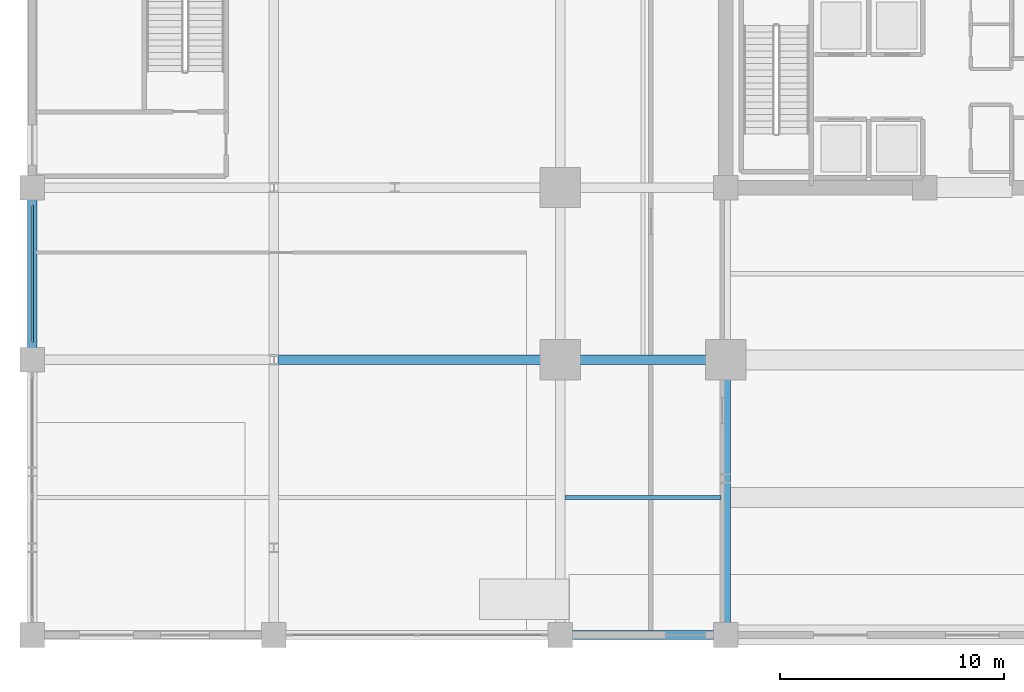
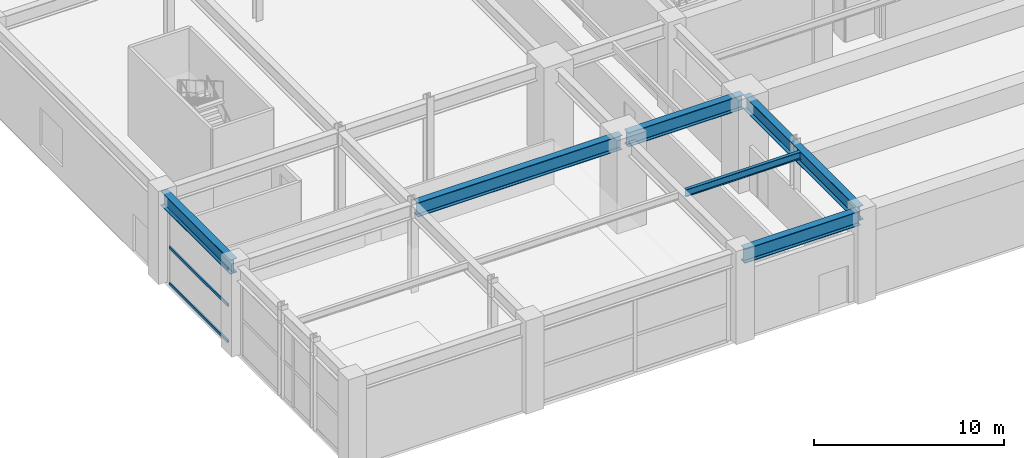
# One storey, part 8 of 41: 6 beams, 3 members, 1 element without a shape of its own.
"""IFC4 building model written with IfcOpenShell, lengths in metres."""

from ifc_helpers import new_model, si_unit, direction, frame, origin, origin_2d, place, context, subcontext, project, spatial, hollow_rectangle, i_section, extrude, material, material_profile, profile_set, type_object, element, aggregate, save


model = new_model("IFC4")

# Units and contexts
model_context = context("Model", 3, precision=1e-05, world=origin(), true_north=direction((0.0, 1.0)))
body_context = subcontext(model_context, "Body", "Model", "MODEL_VIEW")
ifc_project = project(units=[si_unit("LENGTHUNIT", "METRE"), si_unit("AREAUNIT", "SQUARE_METRE"), si_unit("VOLUMEUNIT", "CUBIC_METRE"), si_unit("PLANEANGLEUNIT", "RADIAN"), si_unit("MASSUNIT", "GRAM", prefix="KILO")], contexts=[model_context])

# Site, building, storey
site_placement = place(None, origin())
site = spatial("IfcSite", under=ifc_project, at=site_placement, CompositionType="ELEMENT")
building_placement = place(site_placement, origin())
building = spatial("IfcBuilding", under=site, at=building_placement, Name="Kovane Verandah Tower", CompositionType="ELEMENT")
storey_placement = place(building_placement, origin())
storey = spatial("IfcBuildingStorey", under=building, at=storey_placement, Name="L00", CompositionType="ELEMENT", Elevation=0.0)

# Beams
ifc_material_1 = material(Name="Steel S460", Category="steel")
ifc_material_profile_1 = material_profile(ifc_material_1, i_section(OverallWidth=0.42041015625, OverallDepth=0.9208984375, WebThickness=0.021484375, FlangeThickness=0.03662109375, FilletRadius=0.024169921875, at=origin_2d()), Name="UB914x419x388")
ifc_profile_set_1 = profile_set([ifc_material_profile_1], Name="Steel S460")
beam_type_1 = type_object("IfcBeamType", Name="BM-UB914x388", PredefinedType="BEAM", material=ifc_profile_set_1)
for number, where, z_axis, x_axis, name in (
    (1, (21.780029296875, 10.800048828125, 5.259521484375), (1.0, 0.0, 0.0), (0.0, 1.0, 0.0), "L00 Primary Tower Girder G-RS1"),
    (2, (21.780029296875, -1.5, 5.239501953125), (1.0, 0.0, 0.0), (0.0, 1.0, 0.0), "L00 Podium Grid Girder X03"),
):
    element("IfcBeam", number, at=place(storey_placement, frame(where, z_axis=z_axis, x_axis=x_axis)), inside=storey, type_object=beam_type_1, Name=name, PredefinedType="BEAM", context=body_context, shape_type="SweptSolid", body=[
        extrude(i_section(OverallWidth=0.42041015625, OverallDepth=0.9208984375, WebThickness=0.021484375, FlangeThickness=0.03662109375, FilletRadius=0.024169921875, at=origin_2d()), origin(), (0.0, 0.0, 1.0), 7.0400390625),
    ])
beam_1_placement = place(storey_placement, frame((8.97998046875, 10.800048828125, 5.239501953125), z_axis=(1.0, 0.0, 0.0), x_axis=(0.0, 1.0, 0.0)))
element("IfcBeam", 3, at=beam_1_placement, inside=storey, type_object=beam_type_1, Name="L00 Podium Grid Girder X09", PredefinedType="BEAM", context=body_context, shape_type="SweptSolid", body=[
    extrude(i_section(OverallWidth=0.42041015625, OverallDepth=0.9208984375, WebThickness=0.021484375, FlangeThickness=0.03662109375, FilletRadius=0.024169921875, at=origin_2d()), origin(), (0.0, 0.0, 1.0), 12.43994140625),
])
beam_2_placement = place(storey_placement, frame((-2.0, 10.97998046875, 5.239501953125), z_axis=(0.0, 1.0, 0.0), x_axis=(-1.0, 0.0, 0.0)))
element("IfcBeam", 4, at=beam_2_placement, inside=storey, type_object=beam_type_1, Name="L00 Podium Grid Girder Y32", PredefinedType="BEAM", context=body_context, shape_type="SweptSolid", body=[
    extrude(i_section(OverallWidth=0.42041015625, OverallDepth=0.9208984375, WebThickness=0.021484375, FlangeThickness=0.03662109375, FilletRadius=0.024169921875, at=origin_2d()), origin(), (0.0, 0.0, 1.0), 7.340087890625),
])
beam_3_placement = place(storey_placement, frame((29.0, -1.320068359375, 5.239501953125), z_axis=(0.0, 1.0, 0.0), x_axis=(-1.0, 0.0, 0.0)))
element("IfcBeam", 5, at=beam_3_placement, inside=storey, type_object=beam_type_1, Name="L00 Podium Grid Girder Y43", PredefinedType="BEAM", context=body_context, shape_type="SweptSolid", body=[
    extrude(i_section(OverallWidth=0.42041015625, OverallDepth=0.9208984375, WebThickness=0.021484375, FlangeThickness=0.03662109375, FilletRadius=0.024169921875, at=origin_2d()), origin(), (0.0, 0.0, 1.0), 11.940185546875),
])

# Curtain wall, members
ifc_material_2 = material(Name="Champagne Anodised Aluminium Frame with Low-E Clear Laminated Glass", Category="aluminium")
curtain_wall_type = type_object("IfcCurtainWallType", Name="CW-SYS-01-POD", PredefinedType="NOTDEFINED", material=ifc_material_2)
curtain_wall_placement = place(storey_placement, origin())
curtain_wall = element("IfcCurtainWall", 6, at=curtain_wall_placement, inside=storey, type_object=curtain_wall_type, Name="Ground West Shopfront Curtain Wall Bay 2", PredefinedType="NOTDEFINED")
ifc_material_3 = material(Name="Champagne Anodised Aluminium 6063-T6", Category="aluminium")
ifc_material_profile_2 = material_profile(ifc_material_3, hollow_rectangle(XDim=0.0849609375, YDim=0.18994140625, WallThickness=0.00390625, at=origin_2d()), Name="AL85x190x4")
ifc_profile_set_2 = profile_set([ifc_material_profile_2], Name="Champagne Anodised Aluminium 6063-T6")
member_type = type_object("IfcMemberType", Name="CW-TRN-85x190", PredefinedType="USERDEFINED", material=ifc_profile_set_2)
member_1_placement = place(storey_placement, frame((-2.0, 17.72998046875, 0.050048828125), z_axis=(0.0, -1.0, 0.0), x_axis=(1.0, 0.0, 0.0)))
member_1 = element("IfcMember", 7, at=member_1_placement, type_object=member_type, Name="Ground West Shopfront Curtain Wall Bay 2 Transom TB Bay 1", ObjectType="TRANSOM", PredefinedType="USERDEFINED", context=body_context, shape_type="SweptSolid", body=[
    extrude(hollow_rectangle(XDim=0.0849609375, YDim=0.18994140625, WallThickness=0.00390625, at=origin_2d()), origin(), (0.0, 0.0, 1.0), 6.159912109375),
])
member_2_placement = place(storey_placement, frame((-2.0, 17.72998046875, 2.37939453125), z_axis=(0.0, -1.0, 0.0), x_axis=(1.0, 0.0, 0.0)))
member_2 = element("IfcMember", 8, at=member_2_placement, type_object=member_type, Name="Ground West Shopfront Curtain Wall Bay 2 Transom TM Bay 1", ObjectType="TRANSOM", PredefinedType="USERDEFINED", context=body_context, shape_type="SweptSolid", body=[
    extrude(hollow_rectangle(XDim=0.0849609375, YDim=0.18994140625, WallThickness=0.00390625, at=origin_2d()), origin(), (0.0, 0.0, 1.0), 6.159912109375),
])
member_3_placement = place(storey_placement, frame((-2.0, 17.72998046875, 4.708984375), z_axis=(0.0, -1.0, 0.0), x_axis=(1.0, 0.0, 0.0)))
member_3 = element("IfcMember", 9, at=member_3_placement, type_object=member_type, Name="Ground West Shopfront Curtain Wall Bay 2 Transom TT Bay 1", ObjectType="TRANSOM", PredefinedType="USERDEFINED", context=body_context, shape_type="SweptSolid", body=[
    extrude(hollow_rectangle(XDim=0.0849609375, YDim=0.18994140625, WallThickness=0.00390625, at=origin_2d()), origin(), (0.0, 0.0, 1.0), 6.159912109375),
])
aggregate(curtain_wall, [member_1, member_2, member_3])

# Beam
ifc_material_4 = material(Name="Steel S355", Category="steel")
ifc_material_profile_3 = material_profile(ifc_material_4, i_section(OverallWidth=0.19287109375, OverallDepth=0.46728515625, WebThickness=0.011474609375, FlangeThickness=0.01953125, FilletRadius=0.01025390625, at=origin_2d()), Name="UB457x191x98")
ifc_profile_set_3 = profile_set([ifc_material_profile_3], Name="Steel S355")
beam_type_2 = type_object("IfcBeamType", Name="JST-UB457x98", PredefinedType="JOIST", material=ifc_profile_set_3)
beam_4_placement = place(storey_placement, frame((21.80810546875, 4.64990234375, 5.46630859375), z_axis=(1.0, 0.0, 0.0), x_axis=(0.0, 1.0, 0.0)))
element("IfcBeam", 10, at=beam_4_placement, inside=storey, type_object=beam_type_2, Name="L00 Podium Secondary Joist 03", PredefinedType="JOIST", context=body_context, shape_type="SweptSolid", body=[
    extrude(i_section(OverallWidth=0.19287109375, OverallDepth=0.46728515625, WebThickness=0.011474609375, FlangeThickness=0.01953125, FilletRadius=0.01025390625, at=origin_2d()), origin(), (0.0, 0.0, 1.0), 6.983642578125),
])

save(model, "model.ifc")
